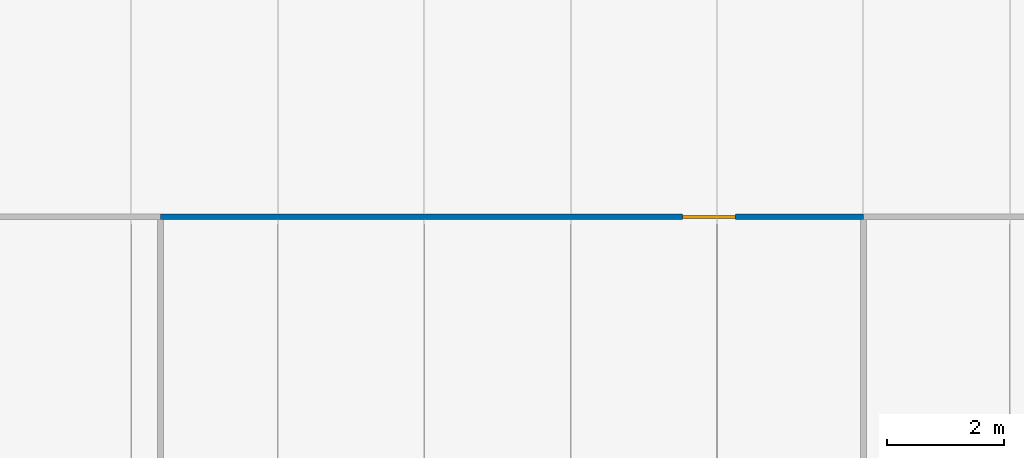
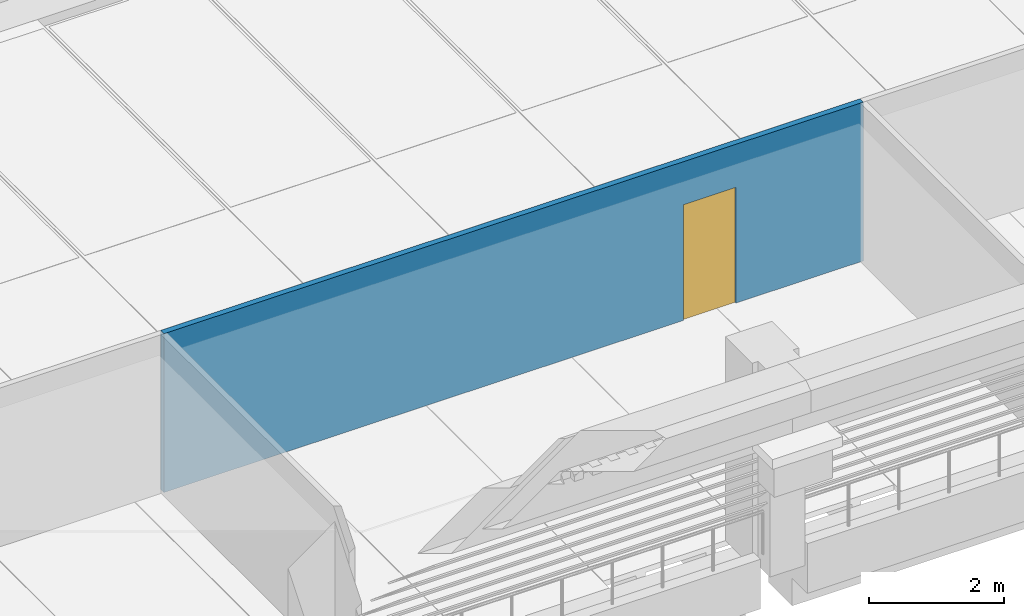
# One storey, part 32 of 71: 1 door, 1 wall, 1 opening.
"""IFC4 building model written with IfcOpenShell, lengths in metres."""

from ifc_helpers import new_model, si_unit, direction, frame, frame_2d, origin, place, context, subcontext, project, spatial, rectangle, extrude, material, layer, layer_set, type_object, element, fill, save


model = new_model("IFC4")

# Units and contexts
model_context = context("Model", 3, precision=1e-05, world=origin(), true_north=direction((0.0, 1.0)))
body_context = subcontext(model_context, "Body", "Model", "MODEL_VIEW")
ifc_project = project(units=[si_unit("LENGTHUNIT", "METRE"), si_unit("AREAUNIT", "SQUARE_METRE"), si_unit("VOLUMEUNIT", "CUBIC_METRE"), si_unit("PLANEANGLEUNIT", "RADIAN"), si_unit("MASSUNIT", "GRAM", prefix="KILO")], contexts=[model_context])

# Site, building, storey
site_placement = place(None, origin())
site = spatial("IfcSite", under=ifc_project, at=site_placement, CompositionType="ELEMENT")
building_placement = place(site_placement, origin())
building = spatial("IfcBuilding", under=site, at=building_placement, Name="Cour d'Honneur Mobility Palace", CompositionType="ELEMENT")
storey_placement = place(building_placement, frame((0.0, 0.0, 15.60009765625)))
storey = spatial("IfcBuildingStorey", under=building, at=storey_placement, Name="L04", CompositionType="ELEMENT", Elevation=15.60009765625)

# Wall, opening, door
ifc_material_1 = material(Name="Gypsum plasterboard")
ifc_layer = layer(ifc_material_1, 0.10009765625)
ifc_layer_set = layer_set([ifc_layer], Name="Gypsum plasterboard")
wall_type = type_object("IfcWallType", Name="Partition 100", PredefinedType="PARTITIONING", material=ifc_layer_set)
wall_placement = place(storey_placement, frame((127.39990234375, 50.699951171875, 0.0), z_axis=(0.0, 0.0, 1.0), x_axis=(-1.0, 0.0, 0.0)))
wall = element("IfcWall", 1, at=wall_placement, inside=storey, type_object=wall_type, Name="Partition 040", PredefinedType="PARTITIONING", context=body_context, shape_type="SweptSolid", body=[
    extrude(rectangle(XDim=12.0, YDim=0.10009765625, at=frame_2d((6.0, 0.0))), origin(), (0.0, 0.0, 1.0), 2.8798828125),
])
opening_placement = place(wall_placement, frame((2.18505859375, 0.0, 0.0)))
opening = element("IfcOpeningElement", 2, at=opening_placement, cuts=wall, Name="Opening D0418", PredefinedType="OPENING", context=body_context, shape_type="SweptSolid", body=[
    extrude(rectangle(XDim=0.89990234375, YDim=2.10009765625, at=frame_2d((0.449951171875, 1.050048828125))), frame((0.0, 0.06005859375, 0.0), z_axis=(0.0, -1.0, 0.0), x_axis=(1.0, 0.0, 0.0)), (0.0, 0.0, 1.0), 0.1201171875),
])
ifc_material_2 = material(Name="Solid timber", Category="wood")
door_type = type_object("IfcDoorType", Name="Single door 900 x 2100", OperationType="SINGLE_SWING_LEFT", PredefinedType="DOOR", material=ifc_material_2)
door_placement = place(opening_placement, origin())
door = element("IfcDoor", 3, at=door_placement, inside=storey, type_object=door_type, Name="Door Valet Operations Room", OperationType="SINGLE_SWING_LEFT", OverallHeight=2.10009765625, OverallWidth=0.89990234375, PredefinedType="DOOR", context=body_context, shape_type="SweptSolid", body=[
    extrude(rectangle(XDim=0.89990234375, YDim=2.10009765625, at=frame_2d((0.449951171875, 1.050048828125))), frame((0.0, 0.02490234375, 0.0), z_axis=(0.0, -1.0, 0.0), x_axis=(1.0, 0.0, 0.0)), (0.0, 0.0, 1.0), 0.050048828125),
])
fill(opening, door)

save(model, "model.ifc")
